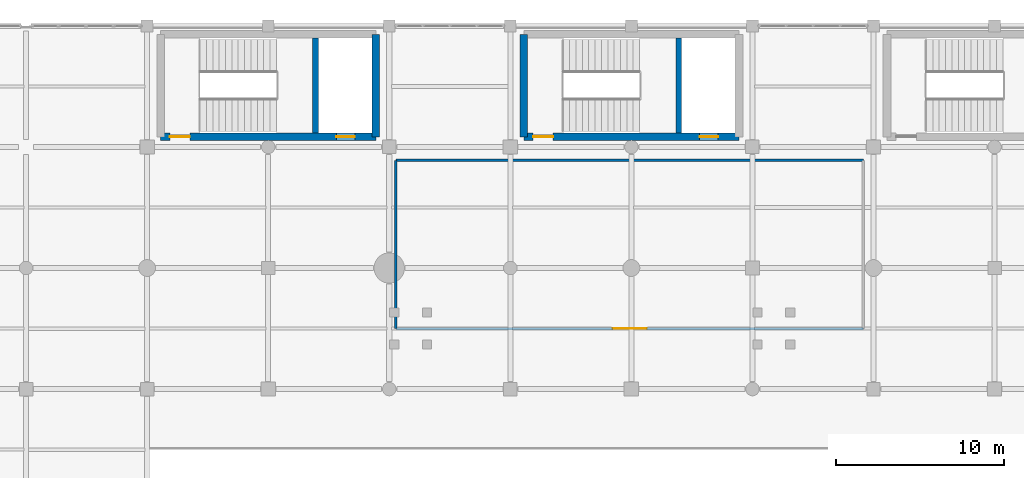
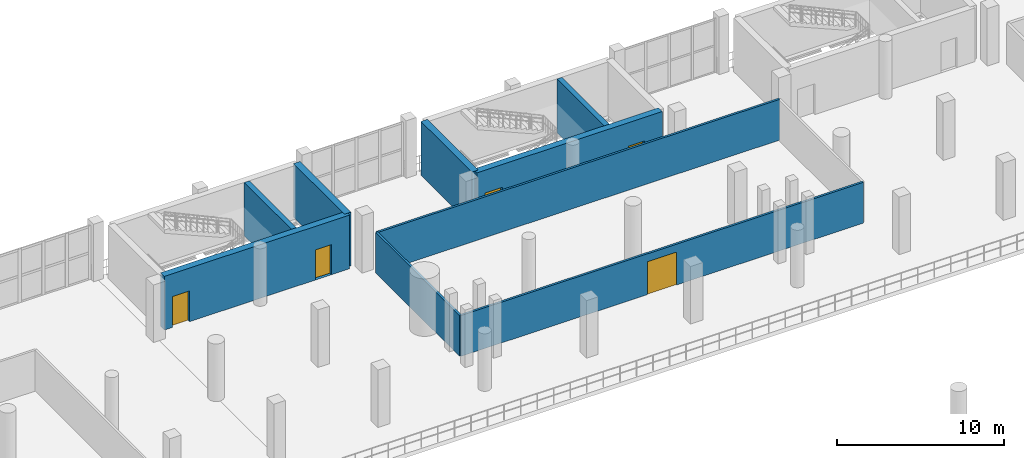
# One storey, part 135 of 153: 9 walls, 5 doors, 5 openings.
"""IFC4 building model written with IfcOpenShell, lengths in metres."""

from ifc_helpers import new_model, si_unit, direction, frame, frame_2d, origin, place, context, subcontext, project, spatial, rectangle, extrude, material, layer, layer_set, type_object, element, fill, save


model = new_model("IFC4")

# Units and contexts
model_context = context("Model", 3, precision=1e-05, world=origin(), true_north=direction((0.0, 1.0)))
body_context = subcontext(model_context, "Body", "Model", "MODEL_VIEW")
ifc_project = project(units=[si_unit("LENGTHUNIT", "METRE"), si_unit("AREAUNIT", "SQUARE_METRE"), si_unit("VOLUMEUNIT", "CUBIC_METRE"), si_unit("PLANEANGLEUNIT", "RADIAN"), si_unit("MASSUNIT", "GRAM", prefix="KILO")], contexts=[model_context])

# Site, building, storey
site_placement = place(None, origin())
site = spatial("IfcSite", under=ifc_project, at=site_placement, CompositionType="ELEMENT")
building_placement = place(site_placement, origin())
building = spatial("IfcBuilding", under=site, at=building_placement, Name="Qandorah Velis Arena", CompositionType="ELEMENT")
storey_placement = place(building_placement, frame((0.0, 0.0, 5.39990234375)))
storey = spatial("IfcBuildingStorey", under=building, at=storey_placement, Name="L01", CompositionType="ELEMENT", Elevation=5.39990234375)

# Wall, opening, door
ifc_material_1 = material(Name="Concrete C35/45", Category="concrete")
ifc_layer_1 = layer(ifc_material_1, 0.14990234375)
ifc_layer_set_1 = layer_set([ifc_layer_1], Name="Concrete C35/45")
wall_type_1 = type_object("IfcWallType", Name="ARC-WAL-PART150", PredefinedType="PARTITIONING", material=ifc_layer_set_1)
wall_1_placement = place(storey_placement, frame((43.60009765625, 111.60009765625, 0.0), z_axis=(0.0, 0.0, 1.0), x_axis=(1.0, 0.0, 0.0)))
wall_1 = element("IfcWall", 1, at=wall_1_placement, inside=storey, type_object=wall_type_1, Name="Interior partition L01-CLB-N (S)", PredefinedType="PARTITIONING", context=body_context, shape_type="SweptSolid", body=[
    extrude(rectangle(XDim=27.7998046875, YDim=0.14990234375, at=frame_2d((13.89990234375, 0.0))), origin(), (0.0, 0.0, 1.0), 2.97998046875),
])
opening_1_placement = place(wall_1_placement, frame((12.89990234375, 0.0, 0.0)))
opening_1 = element("IfcOpeningElement", 2, at=opening_1_placement, cuts=wall_1, Name="Opening D5", PredefinedType="OPENING", context=body_context, shape_type="SweptSolid", body=[
    extrude(rectangle(XDim=2.0, YDim=2.39990234375, at=frame_2d((1.0, 1.199951171875))), frame((0.0, 0.0849609375, 0.0), z_axis=(0.0, -1.0, 0.0), x_axis=(1.0, 0.0, 0.0)), (0.0, 0.0, 1.0), 0.169921875),
])
ifc_material_2 = material(Name="Double-leaf glazed acoustic aluminium door", Category="aluminium")
door_type_1 = type_object("IfcDoorType", Name="ARC-DR-DBL2000", OperationType="NOTDEFINED", PredefinedType="DOOR", material=ifc_material_2)
door_1_placement = place(opening_1_placement, frame((2.0, 0.0, 0.0), z_axis=(0.0, 0.0, 1.0), x_axis=(-1.0, 0.0, 0.0)))
door_1 = element("IfcDoor", 3, at=door_1_placement, inside=storey, type_object=door_type_1, Name="Door L01-CLB-N", OperationType="DOUBLE_DOOR_SINGLE_SWING", OverallHeight=2.39990234375, OverallWidth=2.0, PredefinedType="DOOR", context=body_context, shape_type="SweptSolid", body=[
    extrude(rectangle(XDim=2.0, YDim=2.39990234375, at=frame_2d((1.0, 1.199951171875))), frame((0.0, 0.02490234375, 0.0), z_axis=(0.0, -1.0, 0.0), x_axis=(1.0, 0.0, 0.0)), (0.0, 0.0, 1.0), 0.050048828125),
])
fill(opening_1, door_1)

# Walls
wall_2_placement = place(storey_placement, frame((71.39990234375, 121.60009765625, 0.0), z_axis=(0.0, 0.0, 1.0), x_axis=(-1.0, 0.0, 0.0)))
element("IfcWall", 4, at=wall_2_placement, inside=storey, type_object=wall_type_1, Name="Interior partition L01-CLB-N (N)", PredefinedType="PARTITIONING", context=body_context, shape_type="SweptSolid", body=[
    extrude(rectangle(XDim=27.7998046875, YDim=0.14990234375, at=frame_2d((13.89990234375, 0.0))), origin(), (0.0, 0.0, 1.0), 2.97998046875),
])
wall_3_placement = place(storey_placement, frame((43.60009765625, 121.60009765625, 0.0), z_axis=(0.0, 0.0, 1.0), x_axis=(0.0, -1.0, 0.0)))
element("IfcWall", 5, at=wall_3_placement, inside=storey, type_object=wall_type_1, Name="Interior partition L01-CLB-N (W)", PredefinedType="PARTITIONING", context=body_context, shape_type="SweptSolid", body=[
    extrude(rectangle(XDim=10.0, YDim=0.14990234375, at=frame_2d((5.0, 0.0))), origin(), (0.0, 0.0, 1.0), 2.97998046875),
])

# Wall, openings, doors
ifc_material_3 = material(Name="Concrete C40/50", Category="concrete")
ifc_layer_2 = layer(ifc_material_3, 0.449951171875)
ifc_layer_set_2 = layer_set([ifc_layer_2], Name="Concrete C40/50")
wall_type_2 = type_object("IfcWallType", Name="STR-WAL-CORE450", PredefinedType="SHEAR", material=ifc_layer_set_2)
wall_4_placement = place(storey_placement, frame((29.60009765625, 123.0, 0.0), z_axis=(0.0, 0.0, 1.0), x_axis=(1.0, 0.0, 0.0)))
wall_4 = element("IfcWall", 6, at=wall_4_placement, inside=storey, type_object=wall_type_2, Name="Core CORE-03 shear wall S (L01)", PredefinedType="SHEAR", context=body_context, shape_type="SweptSolid", body=[
    extrude(rectangle(XDim=12.7998046875, YDim=0.449951171875, at=frame_2d((6.39990234375, 0.0))), origin(), (0.0, 0.0, 1.0), 3.920166015625),
])
opening_2_placement = place(wall_4_placement, frame((0.550048828125, 0.0, 0.0)))
opening_2 = element("IfcOpeningElement", 7, at=opening_2_placement, cuts=wall_4, Name="Opening SD1", PredefinedType="OPENING", context=body_context, shape_type="SweptSolid", body=[
    extrude(rectangle(XDim=1.199951171875, YDim=2.25, at=frame_2d((0.60009765625, 1.125))), frame((0.0, 0.23486328125, 0.0), z_axis=(0.0, -1.0, 0.0), x_axis=(1.0, 0.0, 0.0)), (0.0, 0.0, 1.0), 0.469970703125),
])
opening_3_placement = place(wall_4_placement, frame((10.4580078125, 0.0, 0.0)))
opening_3 = element("IfcOpeningElement", 8, at=opening_3_placement, cuts=wall_4, Name="Opening LD1", PredefinedType="OPENING", context=body_context, shape_type="SweptSolid", body=[
    extrude(rectangle(XDim=1.10009765625, YDim=2.199951171875, at=frame_2d((0.550048828125, 1.10009765625))), frame((0.0, 0.23486328125, 0.0), z_axis=(0.0, -1.0, 0.0), x_axis=(1.0, 0.0, 0.0)), (0.0, 0.0, 1.0), 0.469970703125),
])
ifc_material_4 = material(Name="Stainless steel sliding lift landing door", Category="steel")
door_type_2 = type_object("IfcDoorType", Name="ARC-DR-LD1100", OperationType="NOTDEFINED", PredefinedType="DOOR", material=ifc_material_4)
door_2_placement = place(opening_3_placement, origin())
door_2 = element("IfcDoor", 9, at=door_2_placement, inside=storey, type_object=door_type_2, Name="Lift PL1 sliding landing door (L01)", OperationType="SLIDING_TO_LEFT", OverallHeight=2.199951171875, OverallWidth=1.10009765625, PredefinedType="DOOR", context=body_context, shape_type="SweptSolid", body=[
    extrude(rectangle(XDim=1.10009765625, YDim=2.199951171875, at=frame_2d((0.550048828125, 1.10009765625))), frame((0.0, 0.02490234375, 0.0), z_axis=(0.0, -1.0, 0.0), x_axis=(1.0, 0.0, 0.0)), (0.0, 0.0, 1.0), 0.050048828125),
])
fill(opening_3, door_2)
ifc_material_5 = material(Name="Self-closing fire-rated stair steel door", Category="steel")
door_type_3 = type_object("IfcDoorType", Name="ARC-DR-ST1200", OperationType="NOTDEFINED", PredefinedType="DOOR", material=ifc_material_5)
door_3_placement = place(opening_2_placement, origin())
door_3 = element("IfcDoor", 10, at=door_3_placement, inside=storey, type_object=door_type_3, Name="Stair ST3 fire door (L01)", OperationType="SINGLE_SWING_RIGHT", OverallHeight=2.25, OverallWidth=1.199951171875, PredefinedType="DOOR", context=body_context, shape_type="SweptSolid", body=[
    extrude(rectangle(XDim=1.199951171875, YDim=2.25, at=frame_2d((0.60009765625, 1.125))), frame((0.0, 0.02490234375, 0.0), z_axis=(0.0, -1.0, 0.0), x_axis=(1.0, 0.0, 0.0)), (0.0, 0.0, 1.0), 0.050048828125),
])
fill(opening_2, door_3)

# Wall
wall_5_placement = place(storey_placement, frame((42.39990234375, 123.0, 0.0), z_axis=(0.0, 0.0, 1.0), x_axis=(0.0, 1.0, 0.0)))
element("IfcWall", 11, at=wall_5_placement, inside=storey, type_object=wall_type_2, Name="Core CORE-03 shear wall E (L01)", PredefinedType="SHEAR", context=body_context, shape_type="SweptSolid", body=[
    extrude(rectangle(XDim=6.10009765625, YDim=0.449951171875, at=frame_2d((3.050048828125, 0.0))), origin(), (0.0, 0.0, 1.0), 3.920166015625),
])

# Wall, openings, doors
wall_6_placement = place(storey_placement, frame((51.199951171875, 123.0, 0.0), z_axis=(0.0, 0.0, 1.0), x_axis=(1.0, 0.0, 0.0)))
wall_6 = element("IfcWall", 12, at=wall_6_placement, inside=storey, type_object=wall_type_2, Name="Core CORE-10 shear wall S (L01)", PredefinedType="SHEAR", context=body_context, shape_type="SweptSolid", body=[
    extrude(rectangle(XDim=12.800048828125, YDim=0.449951171875, at=frame_2d((6.39990234375, 0.0))), origin(), (0.0, 0.0, 1.0), 3.920166015625),
])
opening_4_placement = place(wall_6_placement, frame((0.550048828125, 0.0, 0.0)))
opening_4 = element("IfcOpeningElement", 13, at=opening_4_placement, cuts=wall_6, Name="Opening SD1", PredefinedType="OPENING", context=body_context, shape_type="SweptSolid", body=[
    extrude(rectangle(XDim=1.199951171875, YDim=2.25, at=frame_2d((0.60009765625, 1.125))), frame((0.0, 0.23486328125, 0.0), z_axis=(0.0, -1.0, 0.0), x_axis=(1.0, 0.0, 0.0)), (0.0, 0.0, 1.0), 0.469970703125),
])
opening_5_placement = place(wall_6_placement, frame((10.4580078125, 0.0, 0.0)))
opening_5 = element("IfcOpeningElement", 14, at=opening_5_placement, cuts=wall_6, Name="Opening LD1", PredefinedType="OPENING", context=body_context, shape_type="SweptSolid", body=[
    extrude(rectangle(XDim=1.10009765625, YDim=2.199951171875, at=frame_2d((0.550048828125, 1.10009765625))), frame((0.0, 0.23486328125, 0.0), z_axis=(0.0, -1.0, 0.0), x_axis=(1.0, 0.0, 0.0)), (0.0, 0.0, 1.0), 0.469970703125),
])
door_4_placement = place(opening_5_placement, origin())
door_4 = element("IfcDoor", 15, at=door_4_placement, inside=storey, type_object=door_type_2, Name="Lift PL7 sliding landing door (L01)", OperationType="SLIDING_TO_RIGHT", OverallHeight=2.199951171875, OverallWidth=1.10009765625, PredefinedType="DOOR", context=body_context, shape_type="SweptSolid", body=[
    extrude(rectangle(XDim=1.10009765625, YDim=2.199951171875, at=frame_2d((0.550048828125, 1.10009765625))), frame((0.0, 0.02490234375, 0.0), z_axis=(0.0, -1.0, 0.0), x_axis=(1.0, 0.0, 0.0)), (0.0, 0.0, 1.0), 0.050048828125),
])
fill(opening_5, door_4)
door_5_placement = place(opening_4_placement, origin())
door_5 = element("IfcDoor", 16, at=door_5_placement, inside=storey, type_object=door_type_3, Name="Stair ST10 fire door (L01)", OperationType="SINGLE_SWING_LEFT", OverallHeight=2.25, OverallWidth=1.199951171875, PredefinedType="DOOR", context=body_context, shape_type="SweptSolid", body=[
    extrude(rectangle(XDim=1.199951171875, YDim=2.25, at=frame_2d((0.60009765625, 1.125))), frame((0.0, 0.02490234375, 0.0), z_axis=(0.0, -1.0, 0.0), x_axis=(1.0, 0.0, 0.0)), (0.0, 0.0, 1.0), 0.050048828125),
])
fill(opening_4, door_5)

# Walls
wall_7_placement = place(storey_placement, frame((51.199951171875, 123.0, 0.0), z_axis=(0.0, 0.0, 1.0), x_axis=(0.0, 1.0, 0.0)))
element("IfcWall", 17, at=wall_7_placement, inside=storey, type_object=wall_type_2, Name="Core CORE-10 shear wall W (L01)", PredefinedType="SHEAR", context=body_context, shape_type="SweptSolid", body=[
    extrude(rectangle(XDim=6.10009765625, YDim=0.449951171875, at=frame_2d((3.050048828125, 0.0))), origin(), (0.0, 0.0, 1.0), 3.920166015625),
])
ifc_layer_3 = layer(ifc_material_3, 0.35009765625)
ifc_layer_set_3 = layer_set([ifc_layer_3], Name="Concrete C40/50")
wall_type_3 = type_object("IfcWallType", Name="STR-WAL-SH350", PredefinedType="SHEAR", material=ifc_layer_set_3)
for number, where, z_axis, x_axis, name in (
    (18, (38.81591796875, 123.22509765625, 0.0), (0.0, 0.0, 1.0), (0.0, 1.0, 0.0), "Core CORE-03 shaft divider shear wall (L01)"),
    (19, (60.416015625, 123.22509765625, 0.0), (0.0, 0.0, 1.0), (0.0, 1.0, 0.0), "Core CORE-10 shaft divider shear wall (L01)"),
):
    element("IfcWall", number, at=place(storey_placement, frame(where, z_axis=z_axis, x_axis=x_axis)), inside=storey, type_object=wall_type_3, Name=name, PredefinedType="SHEAR", context=body_context, shape_type="SweptSolid", body=[
        extrude(rectangle(XDim=5.64990234375, YDim=0.35009765625, at=frame_2d((2.824951171875, 0.0))), origin(), (0.0, 0.0, 1.0), 3.920166015625),
    ])

save(model, "model.ifc")
